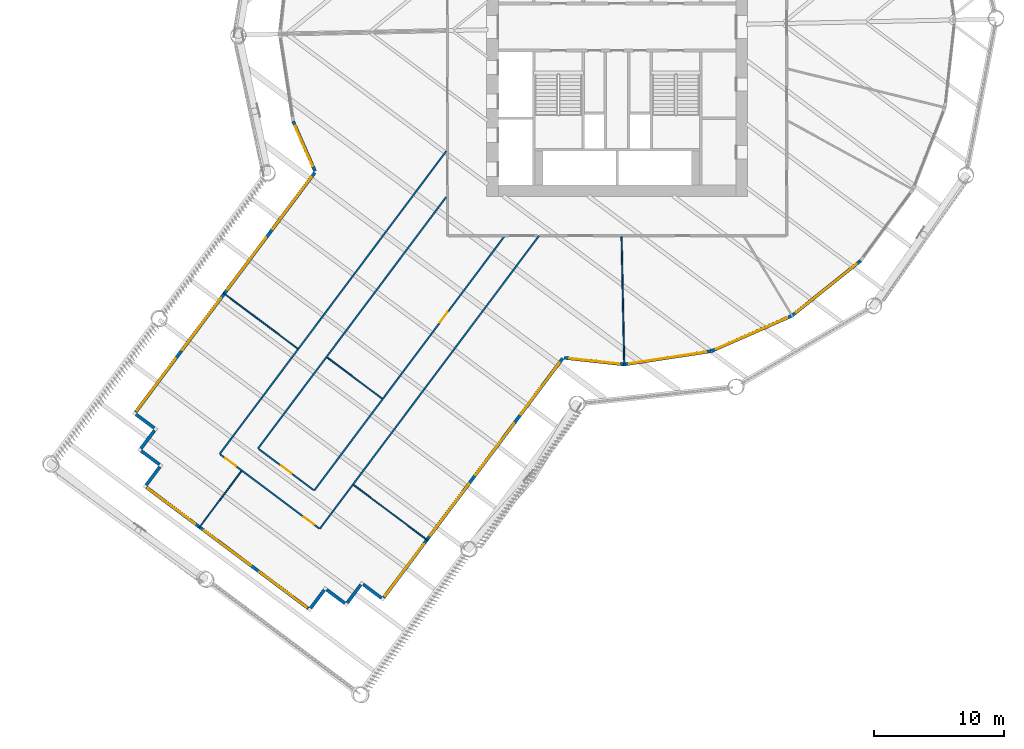
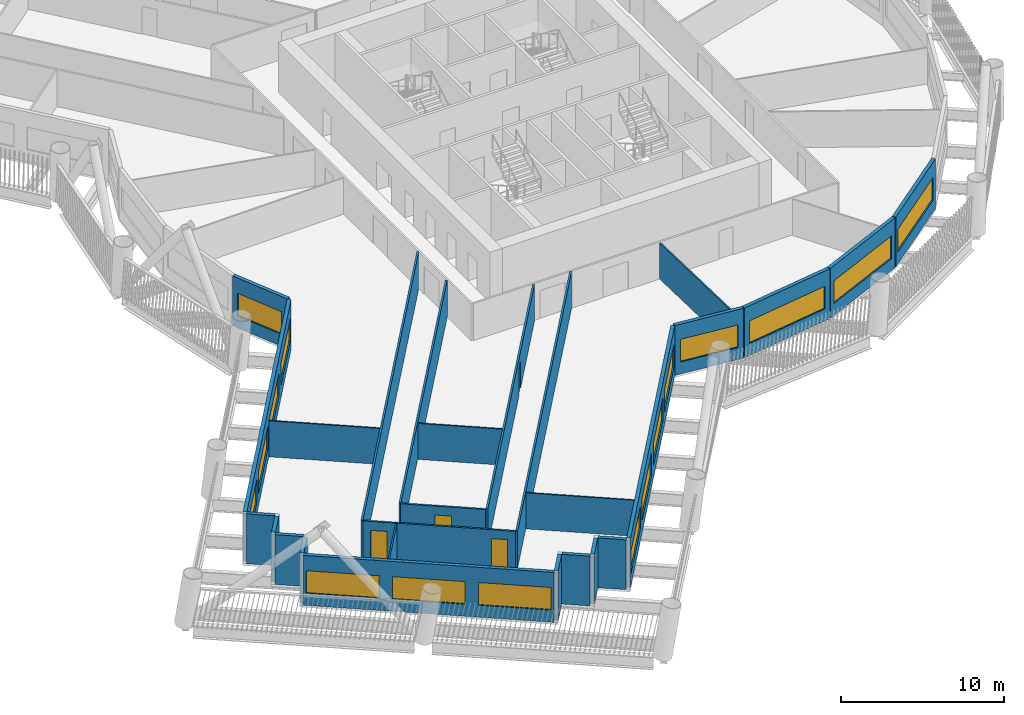
# One storey, part 3 of 22: 27 walls, 16 windows, 4 doors, 20 openings.
"""IFC4 building model written with IfcOpenShell, lengths in metres."""

import ifcopenshell
import ifcopenshell.guid

model = None  # the IFC model being written
_history = None  # IfcOwnerHistory: only IFC2X3 demands one
_inside = {}  # id of a spatial element -> (the spatial element, [elements in it])
_under = {}  # id of a project, library or spatial element -> (it, [spatial elements below it])
_declared = {}  # id of a project -> (the project, [libraries it declares])
_typed = {}  # id of a type object -> (the type object, [elements of that type])
_made_of = {}  # id of a material, layer set ... -> (it, [elements and type objects made of it])


def new_model(schema):
    """Start an empty IFC model of exactly this schema.

    Asked for "IFC4X3", IfcOpenShell would pick the latest addendum, in which some entities
    have other attributes; the version numbers below select the first issue.
    IFC2X3 requires an IfcOwnerHistory on every rooted entity: one is made here for all.
    """
    global model, _history
    if schema == "IFC4X3":
        model = ifcopenshell.file(schema_version=(4, 3, 0, 0))
    else:
        model = ifcopenshell.file(schema=schema)
    _inside.clear()
    _under.clear()
    _declared.clear()
    _typed.clear()
    _made_of.clear()
    _history = None
    if model.schema == "IFC2X3":
        org = make("IfcOrganization", Name="unknown")
        user = make(
            "IfcPersonAndOrganization",
            ThePerson=make("IfcPerson", FamilyName="unknown"),
            TheOrganization=org,
        )
        app = make(
            "IfcApplication",
            ApplicationDeveloper=org,
            Version="unknown",
            ApplicationFullName="unknown",
            ApplicationIdentifier="unknown",
        )
        _history = make(
            "IfcOwnerHistory",
            OwningUser=user,
            OwningApplication=app,
            ChangeAction="ADDED",
            CreationDate=0,
        )
    return model


def make(cls, **values):
    """One entity of the class cls with the attributes given. An attribute that is None is left unset."""
    return model.create_entity(
        cls, **{name: value for name, value in values.items() if value is not None}
    )


def rooted(cls, **values):
    """An entity with a GlobalId (a new one), such as an element, a storey or a relation."""
    return make(cls, GlobalId=ifcopenshell.guid.new(), OwnerHistory=_history, **values)


def si_unit(unit_type, name, prefix=None):
    """IfcSIUnit, for example si_unit("LENGTHUNIT", "METRE", prefix="MILLI")."""
    return make("IfcSIUnit", UnitType=unit_type, Prefix=prefix, Name=name)


def assignment(units):
    """IfcUnitAssignment: the units of a project."""
    return None if units is None else make("IfcUnitAssignment", Units=units)


def point(xyz):
    """IfcCartesianPoint."""
    return None if xyz is None else make("IfcCartesianPoint", Coordinates=xyz)


def direction(xyz):
    """IfcDirection."""
    return None if xyz is None else make("IfcDirection", DirectionRatios=xyz)


def frame(location, z_axis=None, x_axis=None):
    """IfcAxis2Placement3D, a coordinate frame: its origin and axes. An axis left out is left unset."""
    return make(
        "IfcAxis2Placement3D",
        Location=point(location),
        Axis=direction(z_axis),
        RefDirection=direction(x_axis),
    )


def frame_2d(location, x_axis=None):
    """IfcAxis2Placement2D, a coordinate frame in the plane: its origin and x axis."""
    return make(
        "IfcAxis2Placement2D", Location=point(location), RefDirection=direction(x_axis)
    )


def origin():
    """The frame at (0, 0, 0) with its axes left unset."""
    return frame((0.0, 0.0, 0.0))


def place(relative_to, where):
    """IfcLocalPlacement: puts the frame where relative to a parent placement (None: the world)."""
    return make(
        "IfcLocalPlacement", PlacementRelTo=relative_to, RelativePlacement=where
    )


def context(
    kind, dimensions, precision=None, world=None, true_north=None, identifier=None
):
    """IfcGeometricRepresentationContext, for example the 3D "Model" context."""
    return make(
        "IfcGeometricRepresentationContext",
        ContextIdentifier=identifier,
        ContextType=kind,
        CoordinateSpaceDimension=dimensions,
        Precision=precision,
        WorldCoordinateSystem=world,
        TrueNorth=true_north,
    )


def subcontext(parent, identifier, kind, view, scale=None):
    """IfcGeometricRepresentationSubContext, for example "Body" below "Model"."""
    return make(
        "IfcGeometricRepresentationSubContext",
        ContextIdentifier=identifier,
        ContextType=kind,
        ParentContext=parent,
        TargetScale=scale,
        TargetView=view,
    )


def project(units=None, contexts=None):
    """IfcProject with its units and contexts."""
    return rooted(
        "IfcProject",
        Name="project",
        RepresentationContexts=contexts,
        UnitsInContext=assignment(units),
    )


def spatial(cls, under=None, at=None, **own):
    """A site, building, storey or space (cls), placed at a placement, below another one or the project."""
    s = rooted(cls, ObjectPlacement=at, **own)
    if under is not None:
        _under.setdefault(under.id(), (under, []))[1].append(s)
    return s


def profile(cls, at=None, kind="AREA", **sizes):
    """A parametric profile (cls). Its sizes go by their IFC names, for example OverallWidth=200.0."""
    return make(cls, ProfileType=kind, Position=at, **sizes)


def rectangle(**sizes):
    """IfcRectangleProfileDef."""
    return profile("IfcRectangleProfileDef", **sizes)


def extrude(swept, where, along, depth):
    """IfcExtrudedAreaSolid: the profile swept, set in the frame where, extruded along a direction by depth."""
    return make(
        "IfcExtrudedAreaSolid",
        SweptArea=swept,
        Position=where,
        ExtrudedDirection=direction(along),
        Depth=depth,
    )


def shape(context_of_items, identifier, shape_type, items):
    """IfcShapeRepresentation: the items that make up one representation, for example the "Body"."""
    return make(
        "IfcShapeRepresentation",
        ContextOfItems=context_of_items,
        RepresentationIdentifier=identifier,
        RepresentationType=shape_type,
        Items=items,
    )


def material(Name=None, Category=None):
    """IfcMaterial."""
    return make("IfcMaterial", Name=Name, Category=Category)


def layer(
    of_material, thickness, ventilated=None, Name=None, Category=None, Priority=None
):
    """IfcMaterialLayer: one layer of a wall or slab, of a material (None: an air gap)."""
    return make(
        "IfcMaterialLayer",
        Material=of_material,
        LayerThickness=thickness,
        IsVentilated=ventilated,
        Name=Name,
        Category=Category,
        Priority=Priority,
    )


def layer_set(layers, Name=None):
    """IfcMaterialLayerSet."""
    return make("IfcMaterialLayerSet", MaterialLayers=layers, LayerSetName=Name)


def made_of(thing, what):
    """Note that an element or type object is made of a material, layer set ...; save() writes the relation."""
    if what is not None:
        _made_of.setdefault(what.id(), (what, []))[1].append(thing)
    return thing


def type_object(cls, material=None, **own):
    """A type object (cls), such as IfcWallType, which elements share."""
    return made_of(rooted(cls, **own), material)


def element(
    cls,
    number,
    at=None,
    inside=None,
    cuts=None,
    type_object=None,
    material=None,
    context=None,
    identifier="Body",
    shape_type=None,
    held_by="IfcProductDefinitionShape",
    body=None,
    shapes=None,
    **own,
):
    """One element of the class cls, such as IfcWall. Its Tag is "e" and its number.

    at: its placement. inside: the storey or other place that contains it. cuts: it is an
    opening in that element (IfcRelVoidsElement). A single representation is given by context,
    identifier, shape_type and body (its items); several are given by shapes. held_by: the class
    of the entity that holds the representations. save() writes the other relations.
    """
    e = rooted(cls, Tag="e%d" % number, ObjectPlacement=at, **own)
    if body is not None:
        shapes = [shape(context, identifier, shape_type, body)]
    if shapes is not None:
        e.Representation = make(held_by, Representations=shapes)
    if inside is not None:
        _inside.setdefault(inside.id(), (inside, []))[1].append(e)
    if cuts is not None:
        rooted(
            "IfcRelVoidsElement", RelatingBuildingElement=cuts, RelatedOpeningElement=e
        )
    if type_object is not None:
        _typed.setdefault(type_object.id(), (type_object, []))[1].append(e)
    return made_of(e, material)


def fill(opening, filler):
    """IfcRelFillsElement: the door or window that sits in an opening."""
    return rooted(
        "IfcRelFillsElement",
        RelatingOpeningElement=opening,
        RelatedBuildingElement=filler,
    )


def aggregate(whole, parts):
    """IfcRelAggregates: a whole, such as a stair, and the parts it consists of."""
    return rooted("IfcRelAggregates", RelatingObject=whole, RelatedObjects=parts)


def save(model, path):
    """Write the relations noted so far, then the file.

    IfcRelAggregates (storeys below a building ...), IfcRelContainedInSpatialStructure (elements
    in a storey), IfcRelDefinesByType, IfcRelAssociatesMaterial and IfcRelDeclares: one each for
    every whole, place, type object, material and project.
    """
    for whole, parts in _under.values():
        aggregate(whole, parts)
    for where, things in _inside.values():
        rooted(
            "IfcRelContainedInSpatialStructure",
            RelatedElements=things,
            RelatingStructure=where,
        )
    for kind, things in _typed.values():
        rooted("IfcRelDefinesByType", RelatedObjects=things, RelatingType=kind)
    for what, things in _made_of.values():
        rooted("IfcRelAssociatesMaterial", RelatedObjects=things, RelatingMaterial=what)
    for by, libraries in _declared.values():
        rooted("IfcRelDeclares", RelatingContext=by, RelatedDefinitions=libraries)
    model.write(path)


model = new_model("IFC4")

# Units and contexts
model_context = context("Model", 3, precision=1e-05, world=origin(), true_north=direction((0.0, 1.0)))
body_context = subcontext(model_context, "Body", "Model", "MODEL_VIEW")
ifc_project = project(units=[si_unit("LENGTHUNIT", "METRE"), si_unit("AREAUNIT", "SQUARE_METRE"), si_unit("VOLUMEUNIT", "CUBIC_METRE"), si_unit("PLANEANGLEUNIT", "RADIAN"), si_unit("MASSUNIT", "GRAM", prefix="KILO")], contexts=[model_context])

# Site, building, storey
site_placement = place(None, origin())
site = spatial("IfcSite", under=ifc_project, at=site_placement, CompositionType="ELEMENT")
building_placement = place(site_placement, origin())
building = spatial("IfcBuilding", under=site, at=building_placement, Name="Tarsis Ring Headquarters", CompositionType="ELEMENT")
storey_placement = place(building_placement, frame((0.0, 0.0, 40.0)))
storey = spatial("IfcBuildingStorey", under=building, at=storey_placement, Name="L07", CompositionType="ELEMENT", Elevation=40.0)

# Walls
ifc_material_1 = material(Name="Gypsum board on steel studs", Category="steel")
ifc_layer_1 = layer(ifc_material_1, 0.10009765625)
ifc_layer_set_1 = layer_set([ifc_layer_1], Name="FL partition 100 unrated")
wall_type_1 = type_object("IfcWallType", Name="FL partition 100 unrated", PredefinedType="PARTITIONING", material=ifc_layer_set_1)
wall_1_placement = place(storey_placement, frame((0.336669921875, -16.070068359375, 0.0), z_axis=(0.0, 0.0, 1.0), x_axis=(0.020942087368, -0.99978069044, 0.0)))
element("IfcWall", 1, at=wall_1_placement, inside=storey, type_object=wall_type_1, Name="Partition PW3", PredefinedType="PARTITIONING", context=body_context, shape_type="SweptSolid", body=[
    extrude(rectangle(XDim=9.874267578125, YDim=0.10009765625, at=frame_2d((4.93701171875, 0.0))), origin(), (0.0, 0.0, 1.0), 2.699951171875),
])
for number, where, z_axis, x_axis, name in (
    (2, (-20.1953125, -35.108642578125, 0.0), (0.0, 0.0, 1.0), (0.800734915281, -0.599018860679, 0.0), "Partition PW3"),
    (3, (-30.18115234375, -20.394775390625, 0.0), (0.0, 0.0, 1.0), (0.800734915281, -0.599018860679, 0.0), "Partition PW3"),
):
    element("IfcWall", number, at=place(storey_placement, frame(where, z_axis=z_axis, x_axis=x_axis)), inside=storey, type_object=wall_type_1, Name=name, PredefinedType="PARTITIONING", context=body_context, shape_type="SweptSolid", body=[
        extrude(rectangle(XDim=7.090087890625, YDim=0.10009765625, at=frame_2d((3.544921875, 0.0))), origin(), (0.0, 0.0, 1.0), 2.699951171875),
    ])
wall_2_placement = place(storey_placement, frame((-22.22509765625, -25.335205078125, 0.0), z_axis=(0.0, 0.0, 1.0), x_axis=(0.800726244707, -0.599030450843, 0.0)))
element("IfcWall", 4, at=wall_2_placement, inside=storey, type_object=wall_type_1, Name="Partition PW3", PredefinedType="PARTITIONING", context=body_context, shape_type="SweptSolid", body=[
    extrude(rectangle(XDim=5.239990234375, YDim=0.10009765625, at=frame_2d((2.6201171875, 0.0))), origin(), (0.0, 0.0, 1.0), 2.699951171875),
])
wall_3_placement = place(storey_placement, frame((-32.05908203125, -38.397216796875, 0.0), z_axis=(0.0, 0.0, 1.0), x_axis=(0.598997746611, 0.800750709994, 0.0)))
element("IfcWall", 5, at=wall_3_placement, inside=storey, type_object=wall_type_1, Name="Partition PW3", PredefinedType="PARTITIONING", context=body_context, shape_type="SweptSolid", body=[
    extrude(rectangle(XDim=5.419921875, YDim=0.10009765625, at=frame_2d((2.7099609375, 0.0))), origin(), (0.0, 0.0, 1.0), 2.699951171875),
])
ifc_layer_2 = layer(ifc_material_1, 0.125)
ifc_layer_set_2 = layer_set([ifc_layer_2], Name="FL partition 125 EI 60 H2770")
wall_type_2 = type_object("IfcWallType", Name="FL partition 125 EI 60 H2770", PredefinedType="PARTITIONING", material=ifc_layer_set_2)
wall_4_placement = place(storey_placement, frame((-30.468017578125, -32.731201171875, 0.0), z_axis=(0.0, 0.0, 1.0), x_axis=(0.599019991012, 0.800734069693, 0.0)))
element("IfcWall", 6, at=wall_4_placement, inside=storey, type_object=wall_type_2, Name="Partition PW1", PredefinedType="PARTITIONING", context=body_context, shape_type="SweptSolid", body=[
    extrude(rectangle(XDim=28.990966796875, YDim=0.125, at=frame_2d((14.49560546875, 0.0))), origin(), (0.0, 0.0, 1.0), 2.77001953125),
])
wall_5_placement = place(storey_placement, frame((-22.797119140625, -38.4697265625, 0.0), z_axis=(0.0, 0.0, 1.0), x_axis=(0.599025134209, 0.800730222101, 0.0)))
element("IfcWall", 7, at=wall_5_placement, inside=storey, type_object=wall_type_2, Name="Partition PW1", PredefinedType="PARTITIONING", context=body_context, shape_type="SweptSolid", body=[
    extrude(rectangle(XDim=28.0615234375, YDim=0.125, at=frame_2d((14.03076171875, 0.0))), origin(), (0.0, 0.0, 1.0), 2.77001953125),
])

# Wall, opening, door
wall_6_placement = place(storey_placement, frame((-23.220703125, -35.530517578125, 0.0), z_axis=(0.0, 0.0, 1.0), x_axis=(0.599021409634, 0.800733008437, 0.0)))
wall_6 = element("IfcWall", 8, at=wall_6_placement, inside=storey, type_object=wall_type_2, Name="Partition PW1", PredefinedType="PARTITIONING", context=body_context, shape_type="SweptSolid", body=[
    extrude(rectangle(XDim=24.28076171875, YDim=0.125, at=frame_2d((12.140380859375, 0.0))), origin(), (0.0, 0.0, 1.0), 2.77001953125),
])
opening_1_placement = place(wall_6_placement, frame((16.072998046875, 0.0, 0.0)))
opening_1 = element("IfcOpeningElement", 9, at=opening_1_placement, cuts=wall_6, Name="Opening D07.19", PredefinedType="OPENING", context=body_context, shape_type="SweptSolid", body=[
    extrude(rectangle(XDim=1.0, YDim=2.10009765625, at=frame_2d((0.5, 1.050048828125))), frame((0.0, 0.072509765625, 0.0), z_axis=(0.0, -1.0, 0.0), x_axis=(1.0, 0.0, 0.0)), (0.0, 0.0, 1.0), 0.14501953125),
])
ifc_material_2 = material(Name="Fire-rated timber door leaf in steel frame", Category="steel")
door_type = type_object("IfcDoorType", Name="FL door FD60-1000", OperationType="NOTDEFINED", PredefinedType="DOOR", material=ifc_material_2)
door_1_placement = place(opening_1_placement, origin())
door_1 = element("IfcDoor", 10, at=door_1_placement, inside=storey, type_object=door_type, Name="Door D07.19", OperationType="SINGLE_SWING_RIGHT", OverallHeight=2.10009765625, OverallWidth=1.0, PredefinedType="DOOR", context=body_context, shape_type="SweptSolid", body=[
    extrude(rectangle(XDim=1.0, YDim=2.10009765625, at=frame_2d((0.5, 1.050048828125))), frame((0.0, 0.02490234375, 0.0), z_axis=(0.0, -1.0, 0.0), x_axis=(1.0, 0.0, 0.0)), (0.0, 0.0, 1.0), 0.050048828125),
])
fill(opening_1, door_1)

# Wall
wall_7_placement = place(storey_placement, frame((-27.528564453125, -32.3076171875, 0.0), z_axis=(0.0, 0.0, 1.0), x_axis=(0.599023144975, 0.800731710241, 0.0)))
element("IfcWall", 11, at=wall_7_placement, inside=storey, type_object=wall_type_2, Name="Partition PW1", PredefinedType="PARTITIONING", context=body_context, shape_type="SweptSolid", body=[
    extrude(rectangle(XDim=24.083740234375, YDim=0.125, at=frame_2d((12.0419921875, 0.0))), origin(), (0.0, 0.0, 1.0), 2.77001953125),
])

# Wall, openings, doors
wall_8_placement = place(storey_placement, frame((-30.419921875, -32.76708984375, 0.0), z_axis=(0.0, 0.0, 1.0), x_axis=(0.800724109723, -0.599033304673, 0.0)))
wall_8 = element("IfcWall", 12, at=wall_8_placement, inside=storey, type_object=wall_type_2, Name="Partition PW1", PredefinedType="PARTITIONING", context=body_context, shape_type="SweptSolid", body=[
    extrude(rectangle(XDim=9.459716796875, YDim=0.125, at=frame_2d((4.72998046875, 0.0))), origin(), (0.0, 0.0, 1.0), 2.77001953125),
])
opening_2_placement = place(wall_8_placement, frame((7.969970703125, 0.0, 0.0)))
opening_2 = element("IfcOpeningElement", 13, at=opening_2_placement, cuts=wall_8, Name="Opening D07.12", PredefinedType="OPENING", context=body_context, shape_type="SweptSolid", body=[
    extrude(rectangle(XDim=1.0, YDim=2.10009765625, at=frame_2d((0.5, 1.050048828125))), frame((0.0, 0.072509765625, 0.0), z_axis=(0.0, -1.0, 0.0), x_axis=(1.0, 0.0, 0.0)), (0.0, 0.0, 1.0), 0.14501953125),
])
opening_3_placement = place(wall_8_placement, frame((0.489990234375, 0.0, 0.0)))
opening_3 = element("IfcOpeningElement", 14, at=opening_3_placement, cuts=wall_8, Name="Opening D07.13", PredefinedType="OPENING", context=body_context, shape_type="SweptSolid", body=[
    extrude(rectangle(XDim=1.0, YDim=2.10009765625, at=frame_2d((0.5, 1.050048828125))), frame((0.0, 0.072509765625, 0.0), z_axis=(0.0, -1.0, 0.0), x_axis=(1.0, 0.0, 0.0)), (0.0, 0.0, 1.0), 0.14501953125),
])
door_2_placement = place(opening_2_placement, origin())
door_2 = element("IfcDoor", 15, at=door_2_placement, inside=storey, type_object=door_type, Name="Door D07.12", OperationType="SINGLE_SWING_LEFT", OverallHeight=2.10009765625, OverallWidth=1.0, PredefinedType="DOOR", context=body_context, shape_type="SweptSolid", body=[
    extrude(rectangle(XDim=1.0, YDim=2.10009765625, at=frame_2d((0.5, 1.050048828125))), frame((0.0, 0.02490234375, 0.0), z_axis=(0.0, -1.0, 0.0), x_axis=(1.0, 0.0, 0.0)), (0.0, 0.0, 1.0), 0.050048828125),
])
fill(opening_2, door_2)
door_3_placement = place(opening_3_placement, origin())
door_3 = element("IfcDoor", 16, at=door_3_placement, inside=storey, type_object=door_type, Name="Door D07.13", OperationType="SINGLE_SWING_RIGHT", OverallHeight=2.10009765625, OverallWidth=1.0, PredefinedType="DOOR", context=body_context, shape_type="SweptSolid", body=[
    extrude(rectangle(XDim=1.0, YDim=2.10009765625, at=frame_2d((0.5, 1.050048828125))), frame((0.0, 0.02490234375, 0.0), z_axis=(0.0, -1.0, 0.0), x_axis=(1.0, 0.0, 0.0)), (0.0, 0.0, 1.0), 0.050048828125),
])
fill(opening_3, door_3)

# Wall, opening, door
wall_9_placement = place(storey_placement, frame((-27.480712890625, -32.343505859375, 0.0), z_axis=(0.0, 0.0, 1.0), x_axis=(0.800734597434, -0.59901928556, 0.0)))
wall_9 = element("IfcWall", 17, at=wall_9_placement, inside=storey, type_object=wall_type_2, Name="Partition PW1", PredefinedType="PARTITIONING", context=body_context, shape_type="SweptSolid", body=[
    extrude(rectangle(XDim=5.260009765625, YDim=0.125, at=frame_2d((2.6298828125, 0.0))), origin(), (0.0, 0.0, 1.0), 2.77001953125),
])
opening_4_placement = place(wall_9_placement, frame((2.1298828125, 0.0, 0.0)))
opening_4 = element("IfcOpeningElement", 18, at=opening_4_placement, cuts=wall_9, Name="Opening D07.20", PredefinedType="OPENING", context=body_context, shape_type="SweptSolid", body=[
    extrude(rectangle(XDim=1.0, YDim=2.10009765625, at=frame_2d((0.5, 1.050048828125))), frame((0.0, 0.072509765625, 0.0), z_axis=(0.0, -1.0, 0.0), x_axis=(1.0, 0.0, 0.0)), (0.0, 0.0, 1.0), 0.14501953125),
])
door_4_placement = place(opening_4_placement, origin())
door_4 = element("IfcDoor", 19, at=door_4_placement, inside=storey, type_object=door_type, Name="Door D07.20", OperationType="SINGLE_SWING_LEFT", OverallHeight=2.10009765625, OverallWidth=1.0, PredefinedType="DOOR", context=body_context, shape_type="SweptSolid", body=[
    extrude(rectangle(XDim=1.0, YDim=2.10009765625, at=frame_2d((0.5, 1.050048828125))), frame((0.0, 0.02490234375, 0.0), z_axis=(0.0, -1.0, 0.0), x_axis=(1.0, 0.0, 0.0)), (0.0, 0.0, 1.0), 0.050048828125),
])
fill(opening_4, door_4)

# Wall, opening, window
ifc_material_3 = material(Name="Terracotta clad insulated panel wall", Category="masonry")
ifc_layer_3 = layer(ifc_material_3, 0.25)
ifc_layer_set_3 = layer_set([ifc_layer_3], Name="Facade wall terracotta panel 250")
wall_type_3 = type_object("IfcWallType", Name="Facade wall terracotta panel 250", PredefinedType="STANDARD", material=ifc_layer_set_3)
wall_10_placement = place(storey_placement, frame((-24.83984375, -7.233642578125, 0.0), z_axis=(0.0, 0.0, 1.0), x_axis=(0.401906001769, -0.915680930096, 0.0)))
wall_10 = element("IfcWall", 20, at=wall_10_placement, inside=storey, type_object=wall_type_3, Name="External wall L07-05", PredefinedType="STANDARD", context=body_context, shape_type="SweptSolid", body=[
    extrude(rectangle(XDim=4.157470703125, YDim=0.25, at=frame_2d((2.07861328125, 0.0))), origin(), (0.0, 0.0, 1.0), 3.739990234375),
])
opening_5_placement = place(wall_10_placement, frame((0.38720703125, 0.0, 0.89990234375)))
opening_5 = element("IfcOpeningElement", 21, at=opening_5_placement, cuts=wall_10, Name="Opening WN01", PredefinedType="OPENING", context=body_context, shape_type="SweptSolid", body=[
    extrude(rectangle(XDim=3.35009765625, YDim=1.699951171875, at=frame_2d((1.675048828125, 0.85009765625))), frame((0.0, 0.135009765625, 0.0), z_axis=(0.0, -1.0, 0.0), x_axis=(1.0, 0.0, 0.0)), (0.0, 0.0, 1.0), 0.27001953125),
])
ifc_material_4 = material(Name="Aluminium framed double glazing", Category="aluminium")
window_type_1 = type_object("IfcWindowType", Name="Facade window 3350 x 1700", PartitioningType="SINGLE_PANEL", PredefinedType="WINDOW", material=ifc_material_4)
window_1_placement = place(opening_5_placement, origin())
window_1 = element("IfcWindow", 22, at=window_1_placement, inside=storey, type_object=window_type_1, Name="Window L07-05.1", OverallHeight=1.699951171875, OverallWidth=3.35009765625, PartitioningType="SINGLE_PANEL", PredefinedType="WINDOW", context=body_context, shape_type="SweptSolid", body=[
    extrude(rectangle(XDim=3.35009765625, YDim=1.699951171875, at=frame_2d((1.675048828125, 0.85009765625))), frame((0.0, 0.030029296875, 0.0), z_axis=(0.0, -1.0, 0.0), x_axis=(1.0, 0.0, 0.0)), (0.0, 0.0, 1.0), 0.06005859375),
])
fill(opening_5, window_1)

# Wall, openings, windows
wall_11_placement = place(storey_placement, frame((-23.18310546875, -11.165771484375, 0.0), z_axis=(0.0, 0.0, 1.0), x_axis=(-0.599029898119, -0.800726658204, 0.0)))
wall_11 = element("IfcWall", 23, at=wall_11_placement, inside=storey, type_object=wall_type_3, Name="External wall L07-06", PredefinedType="STANDARD", context=body_context, shape_type="SweptSolid", body=[
    extrude(rectangle(XDim=22.921875, YDim=0.25, at=frame_2d((11.4609375, 0.0))), origin(), (0.0, 0.0, 1.0), 3.739990234375),
])
opening_6_placement = place(wall_11_placement, frame((0.42138671875, 0.0, 0.89990234375)))
opening_6 = element("IfcOpeningElement", 24, at=opening_6_placement, cuts=wall_11, Name="Opening WN05", PredefinedType="OPENING", context=body_context, shape_type="SweptSolid", body=[
    extrude(rectangle(XDim=4.949951171875, YDim=1.699951171875, at=frame_2d((2.47509765625, 0.85009765625))), frame((0.0, 0.135009765625, 0.0), z_axis=(0.0, -1.0, 0.0), x_axis=(1.0, 0.0, 0.0)), (0.0, 0.0, 1.0), 0.27001953125),
])
opening_7_placement = place(wall_11_placement, frame((6.214599609375, 0.0, 0.89990234375)))
opening_7 = element("IfcOpeningElement", 25, at=opening_7_placement, cuts=wall_11, Name="Opening WN05", PredefinedType="OPENING", context=body_context, shape_type="SweptSolid", body=[
    extrude(rectangle(XDim=4.949951171875, YDim=1.699951171875, at=frame_2d((2.47509765625, 0.85009765625))), frame((0.0, 0.135009765625, 0.0), z_axis=(0.0, -1.0, 0.0), x_axis=(1.0, 0.0, 0.0)), (0.0, 0.0, 1.0), 0.27001953125),
])
opening_8_placement = place(wall_11_placement, frame((12.007568359375, 0.0, 0.89990234375)))
opening_8 = element("IfcOpeningElement", 26, at=opening_8_placement, cuts=wall_11, Name="Opening WN05", PredefinedType="OPENING", context=body_context, shape_type="SweptSolid", body=[
    extrude(rectangle(XDim=4.949951171875, YDim=1.699951171875, at=frame_2d((2.47509765625, 0.85009765625))), frame((0.0, 0.135009765625, 0.0), z_axis=(0.0, -1.0, 0.0), x_axis=(1.0, 0.0, 0.0)), (0.0, 0.0, 1.0), 0.27001953125),
])
opening_9_placement = place(wall_11_placement, frame((17.800537109375, 0.0, 0.89990234375)))
opening_9 = element("IfcOpeningElement", 27, at=opening_9_placement, cuts=wall_11, Name="Opening WN05", PredefinedType="OPENING", context=body_context, shape_type="SweptSolid", body=[
    extrude(rectangle(XDim=4.949951171875, YDim=1.699951171875, at=frame_2d((2.47509765625, 0.85009765625))), frame((0.0, 0.135009765625, 0.0), z_axis=(0.0, -1.0, 0.0), x_axis=(1.0, 0.0, 0.0)), (0.0, 0.0, 1.0), 0.27001953125),
])
window_type_2 = type_object("IfcWindowType", Name="Facade window 4950 x 1700", PartitioningType="SINGLE_PANEL", PredefinedType="WINDOW", material=ifc_material_4)
window_2_placement = place(opening_6_placement, origin())
window_2 = element("IfcWindow", 28, at=window_2_placement, inside=storey, type_object=window_type_2, Name="Window L07-06.1", OverallHeight=1.699951171875, OverallWidth=4.949951171875, PartitioningType="SINGLE_PANEL", PredefinedType="WINDOW", context=body_context, shape_type="SweptSolid", body=[
    extrude(rectangle(XDim=4.949951171875, YDim=1.699951171875, at=frame_2d((2.47509765625, 0.85009765625))), frame((0.0, 0.030029296875, 0.0), z_axis=(0.0, -1.0, 0.0), x_axis=(1.0, 0.0, 0.0)), (0.0, 0.0, 1.0), 0.06005859375),
])
fill(opening_6, window_2)
window_3_placement = place(opening_7_placement, origin())
window_3 = element("IfcWindow", 29, at=window_3_placement, inside=storey, type_object=window_type_2, Name="Window L07-06.2", OverallHeight=1.699951171875, OverallWidth=4.949951171875, PartitioningType="SINGLE_PANEL", PredefinedType="WINDOW", context=body_context, shape_type="SweptSolid", body=[
    extrude(rectangle(XDim=4.949951171875, YDim=1.699951171875, at=frame_2d((2.47509765625, 0.85009765625))), frame((0.0, 0.030029296875, 0.0), z_axis=(0.0, -1.0, 0.0), x_axis=(1.0, 0.0, 0.0)), (0.0, 0.0, 1.0), 0.06005859375),
])
fill(opening_7, window_3)
window_4_placement = place(opening_8_placement, origin())
window_4 = element("IfcWindow", 30, at=window_4_placement, inside=storey, type_object=window_type_2, Name="Window L07-06.3", OverallHeight=1.699951171875, OverallWidth=4.949951171875, PartitioningType="SINGLE_PANEL", PredefinedType="WINDOW", context=body_context, shape_type="SweptSolid", body=[
    extrude(rectangle(XDim=4.949951171875, YDim=1.699951171875, at=frame_2d((2.47509765625, 0.85009765625))), frame((0.0, 0.030029296875, 0.0), z_axis=(0.0, -1.0, 0.0), x_axis=(1.0, 0.0, 0.0)), (0.0, 0.0, 1.0), 0.06005859375),
])
fill(opening_8, window_4)
window_5_placement = place(opening_9_placement, origin())
window_5 = element("IfcWindow", 31, at=window_5_placement, inside=storey, type_object=window_type_2, Name="Window L07-06.4", OverallHeight=1.699951171875, OverallWidth=4.949951171875, PartitioningType="SINGLE_PANEL", PredefinedType="WINDOW", context=body_context, shape_type="SweptSolid", body=[
    extrude(rectangle(XDim=4.949951171875, YDim=1.699951171875, at=frame_2d((2.47509765625, 0.85009765625))), frame((0.0, 0.030029296875, 0.0), z_axis=(0.0, -1.0, 0.0), x_axis=(1.0, 0.0, 0.0)), (0.0, 0.0, 1.0), 0.06005859375),
])
fill(opening_9, window_5)

# Walls
for number, where, z_axis, x_axis, name in (
    (32, (-36.888916015625, -29.695068359375, 0.0), (0.0, 0.0, 1.0), (0.800735962675, -0.599017460579, 0.0), "External wall L07-07"),
    (33, (-35.46240234375, -30.918212890625, 0.0), (0.0, 0.0, 1.0), (-0.598928004359, -0.800802875616, 0.0), "External wall L07-08"),
    (34, (-36.4853515625, -32.49462890625, 0.0), (0.0, 0.0, 1.0), (0.800802875616, -0.598928004359, 0.0), "External wall L07-09"),
    (35, (-35.058837890625, -33.7177734375, 0.0), (0.0, 0.0, 1.0), (-0.599017460579, -0.800735962675, 0.0), "External wall L07-10"),
):
    element("IfcWall", number, at=place(storey_placement, frame(where, z_axis=z_axis, x_axis=x_axis)), inside=storey, type_object=wall_type_3, Name=name, PredefinedType="STANDARD", context=body_context, shape_type="SweptSolid", body=[
        extrude(rectangle(XDim=1.75, YDim=0.25, at=frame_2d((0.875, 0.0))), origin(), (0.0, 0.0, 1.0), 3.739990234375),
    ])

# Wall, openings, windows
wall_12_placement = place(storey_placement, frame((-36.08203125, -35.2939453125, 0.0), z_axis=(0.0, 0.0, 1.0), x_axis=(0.800730879462, -0.599024255499, 0.0)))
wall_12 = element("IfcWall", 36, at=wall_12_placement, inside=storey, type_object=wall_type_3, Name="External wall L07-11", PredefinedType="STANDARD", context=body_context, shape_type="SweptSolid", body=[
    extrude(rectangle(XDim=15.5, YDim=0.25, at=frame_2d((7.75, 0.0))), origin(), (0.0, 0.0, 1.0), 3.739990234375),
])
opening_10_placement = place(wall_12_placement, frame((0.166748046875, 0.0, 0.89990234375)))
opening_10 = element("IfcOpeningElement", 37, at=opening_10_placement, cuts=wall_12, Name="Opening WN04", PredefinedType="OPENING", context=body_context, shape_type="SweptSolid", body=[
    extrude(rectangle(XDim=4.5, YDim=1.699951171875, at=frame_2d((2.25, 0.85009765625))), frame((0.0, 0.135009765625, 0.0), z_axis=(0.0, -1.0, 0.0), x_axis=(1.0, 0.0, 0.0)), (0.0, 0.0, 1.0), 0.27001953125),
])
opening_11_placement = place(wall_12_placement, frame((5.5, 0.0, 0.89990234375)))
opening_11 = element("IfcOpeningElement", 38, at=opening_11_placement, cuts=wall_12, Name="Opening WN04", PredefinedType="OPENING", context=body_context, shape_type="SweptSolid", body=[
    extrude(rectangle(XDim=4.5, YDim=1.699951171875, at=frame_2d((2.25, 0.85009765625))), frame((0.0, 0.135009765625, 0.0), z_axis=(0.0, -1.0, 0.0), x_axis=(1.0, 0.0, 0.0)), (0.0, 0.0, 1.0), 0.27001953125),
])
opening_12_placement = place(wall_12_placement, frame((10.833251953125, 0.0, 0.89990234375)))
opening_12 = element("IfcOpeningElement", 39, at=opening_12_placement, cuts=wall_12, Name="Opening WN04", PredefinedType="OPENING", context=body_context, shape_type="SweptSolid", body=[
    extrude(rectangle(XDim=4.5, YDim=1.699951171875, at=frame_2d((2.25, 0.85009765625))), frame((0.0, 0.135009765625, 0.0), z_axis=(0.0, -1.0, 0.0), x_axis=(1.0, 0.0, 0.0)), (0.0, 0.0, 1.0), 0.27001953125),
])
window_type_3 = type_object("IfcWindowType", Name="Facade window 4500 x 1700", PartitioningType="SINGLE_PANEL", PredefinedType="WINDOW", material=ifc_material_4)
window_6_placement = place(opening_10_placement, origin())
window_6 = element("IfcWindow", 40, at=window_6_placement, inside=storey, type_object=window_type_3, Name="Window L07-11.1", OverallHeight=1.699951171875, OverallWidth=4.5, PartitioningType="SINGLE_PANEL", PredefinedType="WINDOW", context=body_context, shape_type="SweptSolid", body=[
    extrude(rectangle(XDim=4.5, YDim=1.699951171875, at=frame_2d((2.25, 0.85009765625))), frame((0.0, 0.030029296875, 0.0), z_axis=(0.0, -1.0, 0.0), x_axis=(1.0, 0.0, 0.0)), (0.0, 0.0, 1.0), 0.06005859375),
])
fill(opening_10, window_6)
window_7_placement = place(opening_11_placement, origin())
window_7 = element("IfcWindow", 41, at=window_7_placement, inside=storey, type_object=window_type_3, Name="Window L07-11.2", OverallHeight=1.699951171875, OverallWidth=4.5, PartitioningType="SINGLE_PANEL", PredefinedType="WINDOW", context=body_context, shape_type="SweptSolid", body=[
    extrude(rectangle(XDim=4.5, YDim=1.699951171875, at=frame_2d((2.25, 0.85009765625))), frame((0.0, 0.030029296875, 0.0), z_axis=(0.0, -1.0, 0.0), x_axis=(1.0, 0.0, 0.0)), (0.0, 0.0, 1.0), 0.06005859375),
])
fill(opening_11, window_7)
window_8_placement = place(opening_12_placement, origin())
window_8 = element("IfcWindow", 42, at=window_8_placement, inside=storey, type_object=window_type_3, Name="Window L07-11.3", OverallHeight=1.699951171875, OverallWidth=4.5, PartitioningType="SINGLE_PANEL", PredefinedType="WINDOW", context=body_context, shape_type="SweptSolid", body=[
    extrude(rectangle(XDim=4.5, YDim=1.699951171875, at=frame_2d((2.25, 0.85009765625))), frame((0.0, 0.030029296875, 0.0), z_axis=(0.0, -1.0, 0.0), x_axis=(1.0, 0.0, 0.0)), (0.0, 0.0, 1.0), 0.06005859375),
])
fill(opening_12, window_8)

# Walls
for number, where, z_axis, x_axis, name in (
    (43, (-23.49560546875, -44.5537109375, 0.0), (0.0, 0.0, 1.0), (0.599017460579, 0.800735962675, 0.0), "External wall L07-12"),
    (44, (-22.2724609375, -43.127197265625, 0.0), (0.0, 0.0, 1.0), (0.800735962675, -0.599017460579, 0.0), "External wall L07-13"),
    (45, (-20.696044921875, -44.150390625, 0.0), (0.0, 0.0, 1.0), (0.598928004359, 0.800802875616, 0.0), "External wall L07-14"),
    (46, (-19.472900390625, -42.723876953125, 0.0), (0.0, 0.0, 1.0), (0.800802875616, -0.598928004359, 0.0), "External wall L07-15"),
):
    element("IfcWall", number, at=place(storey_placement, frame(where, z_axis=z_axis, x_axis=x_axis)), inside=storey, type_object=wall_type_3, Name=name, PredefinedType="STANDARD", context=body_context, shape_type="SweptSolid", body=[
        extrude(rectangle(XDim=1.75, YDim=0.25, at=frame_2d((0.875, 0.0))), origin(), (0.0, 0.0, 1.0), 3.739990234375),
    ])

# Wall, openings, windows
wall_13_placement = place(storey_placement, frame((-17.896728515625, -43.746826171875, 0.0), z_axis=(0.0, 0.0, 1.0), x_axis=(0.599029018663, 0.800727316132, 0.0)))
wall_13 = element("IfcWall", 47, at=wall_13_placement, inside=storey, type_object=wall_type_3, Name="External wall L07-16", PredefinedType="STANDARD", context=body_context, shape_type="SweptSolid", body=[
    extrude(rectangle(XDim=22.901123046875, YDim=0.25, at=frame_2d((11.45068359375, 0.0))), origin(), (0.0, 0.0, 1.0), 3.739990234375),
])
opening_13_placement = place(wall_13_placement, frame((0.1689453125, 0.0, 0.89990234375)))
opening_13 = element("IfcOpeningElement", 48, at=opening_13_placement, cuts=wall_13, Name="Opening WN05", PredefinedType="OPENING", context=body_context, shape_type="SweptSolid", body=[
    extrude(rectangle(XDim=4.949951171875, YDim=1.699951171875, at=frame_2d((2.47509765625, 0.85009765625))), frame((0.0, 0.135009765625, 0.0), z_axis=(0.0, -1.0, 0.0), x_axis=(1.0, 0.0, 0.0)), (0.0, 0.0, 1.0), 0.27001953125),
])
opening_14_placement = place(wall_13_placement, frame((5.956787109375, 0.0, 0.89990234375)))
opening_14 = element("IfcOpeningElement", 49, at=opening_14_placement, cuts=wall_13, Name="Opening WN05", PredefinedType="OPENING", context=body_context, shape_type="SweptSolid", body=[
    extrude(rectangle(XDim=4.949951171875, YDim=1.699951171875, at=frame_2d((2.47509765625, 0.85009765625))), frame((0.0, 0.135009765625, 0.0), z_axis=(0.0, -1.0, 0.0), x_axis=(1.0, 0.0, 0.0)), (0.0, 0.0, 1.0), 0.27001953125),
])
opening_15_placement = place(wall_13_placement, frame((11.74462890625, 0.0, 0.89990234375)))
opening_15 = element("IfcOpeningElement", 50, at=opening_15_placement, cuts=wall_13, Name="Opening WN05", PredefinedType="OPENING", context=body_context, shape_type="SweptSolid", body=[
    extrude(rectangle(XDim=4.949951171875, YDim=1.699951171875, at=frame_2d((2.47509765625, 0.85009765625))), frame((0.0, 0.135009765625, 0.0), z_axis=(0.0, -1.0, 0.0), x_axis=(1.0, 0.0, 0.0)), (0.0, 0.0, 1.0), 0.27001953125),
])
opening_16_placement = place(wall_13_placement, frame((17.532470703125, 0.0, 0.89990234375)))
opening_16 = element("IfcOpeningElement", 51, at=opening_16_placement, cuts=wall_13, Name="Opening WN05", PredefinedType="OPENING", context=body_context, shape_type="SweptSolid", body=[
    extrude(rectangle(XDim=4.949951171875, YDim=1.699951171875, at=frame_2d((2.47509765625, 0.85009765625))), frame((0.0, 0.135009765625, 0.0), z_axis=(0.0, -1.0, 0.0), x_axis=(1.0, 0.0, 0.0)), (0.0, 0.0, 1.0), 0.27001953125),
])
window_9_placement = place(opening_13_placement, origin())
window_9 = element("IfcWindow", 52, at=window_9_placement, inside=storey, type_object=window_type_2, Name="Window L07-16.1", OverallHeight=1.699951171875, OverallWidth=4.949951171875, PartitioningType="SINGLE_PANEL", PredefinedType="WINDOW", context=body_context, shape_type="SweptSolid", body=[
    extrude(rectangle(XDim=4.949951171875, YDim=1.699951171875, at=frame_2d((2.47509765625, 0.85009765625))), frame((0.0, 0.030029296875, 0.0), z_axis=(0.0, -1.0, 0.0), x_axis=(1.0, 0.0, 0.0)), (0.0, 0.0, 1.0), 0.06005859375),
])
fill(opening_13, window_9)
window_10_placement = place(opening_14_placement, origin())
window_10 = element("IfcWindow", 53, at=window_10_placement, inside=storey, type_object=window_type_2, Name="Window L07-16.2", OverallHeight=1.699951171875, OverallWidth=4.949951171875, PartitioningType="SINGLE_PANEL", PredefinedType="WINDOW", context=body_context, shape_type="SweptSolid", body=[
    extrude(rectangle(XDim=4.949951171875, YDim=1.699951171875, at=frame_2d((2.47509765625, 0.85009765625))), frame((0.0, 0.030029296875, 0.0), z_axis=(0.0, -1.0, 0.0), x_axis=(1.0, 0.0, 0.0)), (0.0, 0.0, 1.0), 0.06005859375),
])
fill(opening_14, window_10)
window_11_placement = place(opening_15_placement, origin())
window_11 = element("IfcWindow", 54, at=window_11_placement, inside=storey, type_object=window_type_2, Name="Window L07-16.3", OverallHeight=1.699951171875, OverallWidth=4.949951171875, PartitioningType="SINGLE_PANEL", PredefinedType="WINDOW", context=body_context, shape_type="SweptSolid", body=[
    extrude(rectangle(XDim=4.949951171875, YDim=1.699951171875, at=frame_2d((2.47509765625, 0.85009765625))), frame((0.0, 0.030029296875, 0.0), z_axis=(0.0, -1.0, 0.0), x_axis=(1.0, 0.0, 0.0)), (0.0, 0.0, 1.0), 0.06005859375),
])
fill(opening_15, window_11)
window_12_placement = place(opening_16_placement, origin())
window_12 = element("IfcWindow", 55, at=window_12_placement, inside=storey, type_object=window_type_2, Name="Window L07-16.4", OverallHeight=1.699951171875, OverallWidth=4.949951171875, PartitioningType="SINGLE_PANEL", PredefinedType="WINDOW", context=body_context, shape_type="SweptSolid", body=[
    extrude(rectangle(XDim=4.949951171875, YDim=1.699951171875, at=frame_2d((2.47509765625, 0.85009765625))), frame((0.0, 0.030029296875, 0.0), z_axis=(0.0, -1.0, 0.0), x_axis=(1.0, 0.0, 0.0)), (0.0, 0.0, 1.0), 0.06005859375),
])
fill(opening_16, window_12)

# Wall, opening, window
wall_14_placement = place(storey_placement, frame((-4.064453125, -25.359619140625, 0.0), z_axis=(0.0, 0.0, 1.0), x_axis=(0.99395829861, -0.109758373825, 0.0)))
wall_14 = element("IfcWall", 56, at=wall_14_placement, inside=storey, type_object=wall_type_3, Name="External wall L07-17", PredefinedType="STANDARD", context=body_context, shape_type="SweptSolid", body=[
    extrude(rectangle(XDim=4.61767578125, YDim=0.25, at=frame_2d((2.308837890625, 0.0))), origin(), (0.0, 0.0, 1.0), 3.739990234375),
])
opening_17_placement = place(wall_14_placement, frame((0.400390625, 0.0, 0.89990234375)))
opening_17 = element("IfcOpeningElement", 57, at=opening_17_placement, cuts=wall_14, Name="Opening WN02", PredefinedType="OPENING", context=body_context, shape_type="SweptSolid", body=[
    extrude(rectangle(XDim=3.85009765625, YDim=1.699951171875, at=frame_2d((1.925048828125, 0.85009765625))), frame((0.0, 0.135009765625, 0.0), z_axis=(0.0, -1.0, 0.0), x_axis=(1.0, 0.0, 0.0)), (0.0, 0.0, 1.0), 0.27001953125),
])
window_type_4 = type_object("IfcWindowType", Name="Facade window 3850 x 1700", PartitioningType="SINGLE_PANEL", PredefinedType="WINDOW", material=ifc_material_4)
window_13_placement = place(opening_17_placement, origin())
window_13 = element("IfcWindow", 58, at=window_13_placement, inside=storey, type_object=window_type_4, Name="Window L07-17.1", OverallHeight=1.699951171875, OverallWidth=3.85009765625, PartitioningType="SINGLE_PANEL", PredefinedType="WINDOW", context=body_context, shape_type="SweptSolid", body=[
    extrude(rectangle(XDim=3.85009765625, YDim=1.699951171875, at=frame_2d((1.925048828125, 0.85009765625))), frame((0.0, 0.030029296875, 0.0), z_axis=(0.0, -1.0, 0.0), x_axis=(1.0, 0.0, 0.0)), (0.0, 0.0, 1.0), 0.06005859375),
])
fill(opening_17, window_13)

wall_15_placement = place(storey_placement, frame((0.55810546875, -25.86572265625, 0.0), z_axis=(0.0, 0.0, 1.0), x_axis=(0.988496494572, 0.151243777454, 0.0)))
wall_15 = element("IfcWall", 59, at=wall_15_placement, inside=storey, type_object=wall_type_3, Name="External wall L07-18", PredefinedType="STANDARD", context=body_context, shape_type="SweptSolid", body=[
    extrude(rectangle(XDim=6.7216796875, YDim=0.25, at=frame_2d((3.36083984375, 0.0))), origin(), (0.0, 0.0, 1.0), 3.739990234375),
])
opening_18_placement = place(wall_15_placement, frame((0.3857421875, 0.0, 0.89990234375)))
opening_18 = element("IfcOpeningElement", 60, at=opening_18_placement, cuts=wall_15, Name="Opening WN07", PredefinedType="OPENING", context=body_context, shape_type="SweptSolid", body=[
    extrude(rectangle(XDim=5.949951171875, YDim=1.699951171875, at=frame_2d((2.97509765625, 0.85009765625))), frame((0.0, 0.135009765625, 0.0), z_axis=(0.0, -1.0, 0.0), x_axis=(1.0, 0.0, 0.0)), (0.0, 0.0, 1.0), 0.27001953125),
])
window_type_5 = type_object("IfcWindowType", Name="Facade window 5950 x 1700", PartitioningType="SINGLE_PANEL", PredefinedType="WINDOW", material=ifc_material_4)
window_14_placement = place(opening_18_placement, origin())
window_14 = element("IfcWindow", 61, at=window_14_placement, inside=storey, type_object=window_type_5, Name="Window L07-18.1", OverallHeight=1.699951171875, OverallWidth=5.949951171875, PartitioningType="SINGLE_PANEL", PredefinedType="WINDOW", context=body_context, shape_type="SweptSolid", body=[
    extrude(rectangle(XDim=5.949951171875, YDim=1.699951171875, at=frame_2d((2.97509765625, 0.85009765625))), frame((0.0, 0.030029296875, 0.0), z_axis=(0.0, -1.0, 0.0), x_axis=(1.0, 0.0, 0.0)), (0.0, 0.0, 1.0), 0.06005859375),
])
fill(opening_18, window_14)

wall_16_placement = place(storey_placement, frame((7.233642578125, -24.83984375, 0.0), z_axis=(0.0, 0.0, 1.0), x_axis=(0.915668158419, 0.401935098813, 0.0)))
wall_16 = element("IfcWall", 62, at=wall_16_placement, inside=storey, type_object=wall_type_3, Name="External wall L07-19", PredefinedType="STANDARD", context=body_context, shape_type="SweptSolid", body=[
    extrude(rectangle(XDim=6.7216796875, YDim=0.25, at=frame_2d((3.36083984375, 0.0))), origin(), (0.0, 0.0, 1.0), 3.739990234375),
])
opening_19_placement = place(wall_16_placement, frame((0.3857421875, 0.0, 0.89990234375)))
opening_19 = element("IfcOpeningElement", 63, at=opening_19_placement, cuts=wall_16, Name="Opening WN07", PredefinedType="OPENING", context=body_context, shape_type="SweptSolid", body=[
    extrude(rectangle(XDim=5.949951171875, YDim=1.699951171875, at=frame_2d((2.97509765625, 0.85009765625))), frame((0.0, 0.135009765625, 0.0), z_axis=(0.0, -1.0, 0.0), x_axis=(1.0, 0.0, 0.0)), (0.0, 0.0, 1.0), 0.27001953125),
])
window_15_placement = place(opening_19_placement, origin())
window_15 = element("IfcWindow", 64, at=window_15_placement, inside=storey, type_object=window_type_5, Name="Window L07-19.1", OverallHeight=1.699951171875, OverallWidth=5.949951171875, PartitioningType="SINGLE_PANEL", PredefinedType="WINDOW", context=body_context, shape_type="SweptSolid", body=[
    extrude(rectangle(XDim=5.949951171875, YDim=1.699951171875, at=frame_2d((2.97509765625, 0.85009765625))), frame((0.0, 0.030029296875, 0.0), z_axis=(0.0, -1.0, 0.0), x_axis=(1.0, 0.0, 0.0)), (0.0, 0.0, 1.0), 0.06005859375),
])
fill(opening_19, window_15)

wall_17_placement = place(storey_placement, frame((13.416259765625, -22.121337890625, 0.0), z_axis=(0.0, 0.0, 1.0), x_axis=(0.780422110796, 0.625253011973, 0.0)))
wall_17 = element("IfcWall", 65, at=wall_17_placement, inside=storey, type_object=wall_type_3, Name="External wall L07-20", PredefinedType="STANDARD", context=body_context, shape_type="SweptSolid", body=[
    extrude(rectangle(XDim=6.721435546875, YDim=0.25, at=frame_2d((3.36083984375, 0.0))), origin(), (0.0, 0.0, 1.0), 3.739990234375),
])
opening_20_placement = place(wall_17_placement, frame((0.3857421875, 0.0, 0.89990234375)))
opening_20 = element("IfcOpeningElement", 66, at=opening_20_placement, cuts=wall_17, Name="Opening WN07", PredefinedType="OPENING", context=body_context, shape_type="SweptSolid", body=[
    extrude(rectangle(XDim=5.949951171875, YDim=1.699951171875, at=frame_2d((2.97509765625, 0.85009765625))), frame((0.0, 0.135009765625, 0.0), z_axis=(0.0, -1.0, 0.0), x_axis=(1.0, 0.0, 0.0)), (0.0, 0.0, 1.0), 0.27001953125),
])
window_16_placement = place(opening_20_placement, origin())
window_16 = element("IfcWindow", 67, at=window_16_placement, inside=storey, type_object=window_type_5, Name="Window L07-20.1", OverallHeight=1.699951171875, OverallWidth=5.949951171875, PartitioningType="SINGLE_PANEL", PredefinedType="WINDOW", context=body_context, shape_type="SweptSolid", body=[
    extrude(rectangle(XDim=5.949951171875, YDim=1.699951171875, at=frame_2d((2.97509765625, 0.85009765625))), frame((0.0, 0.030029296875, 0.0), z_axis=(0.0, -1.0, 0.0), x_axis=(1.0, 0.0, 0.0)), (0.0, 0.0, 1.0), 0.06005859375),
])
fill(opening_20, window_16)

save(model, "model.ifc")
